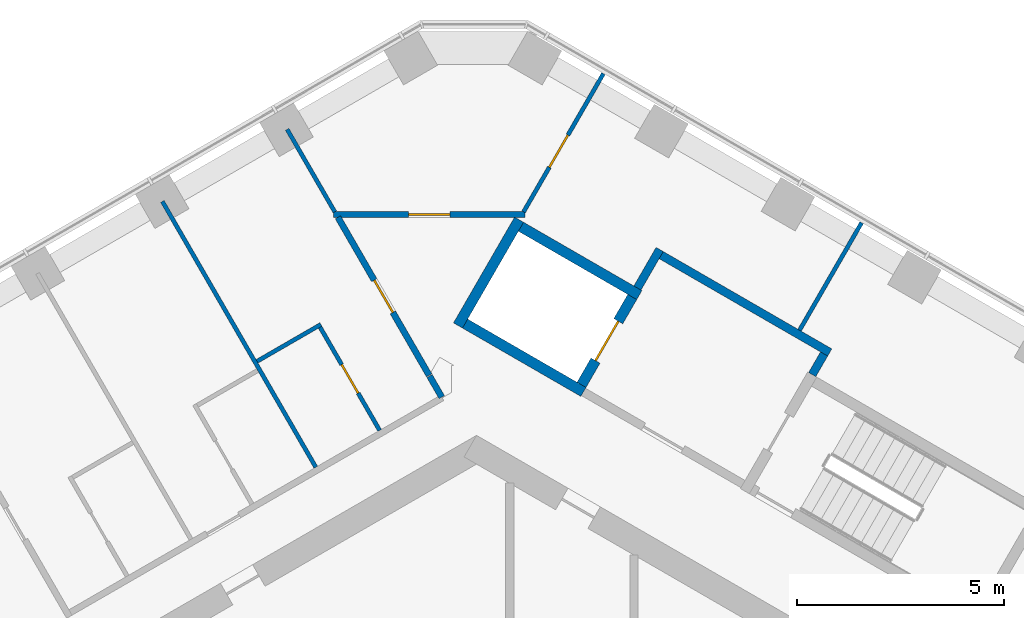
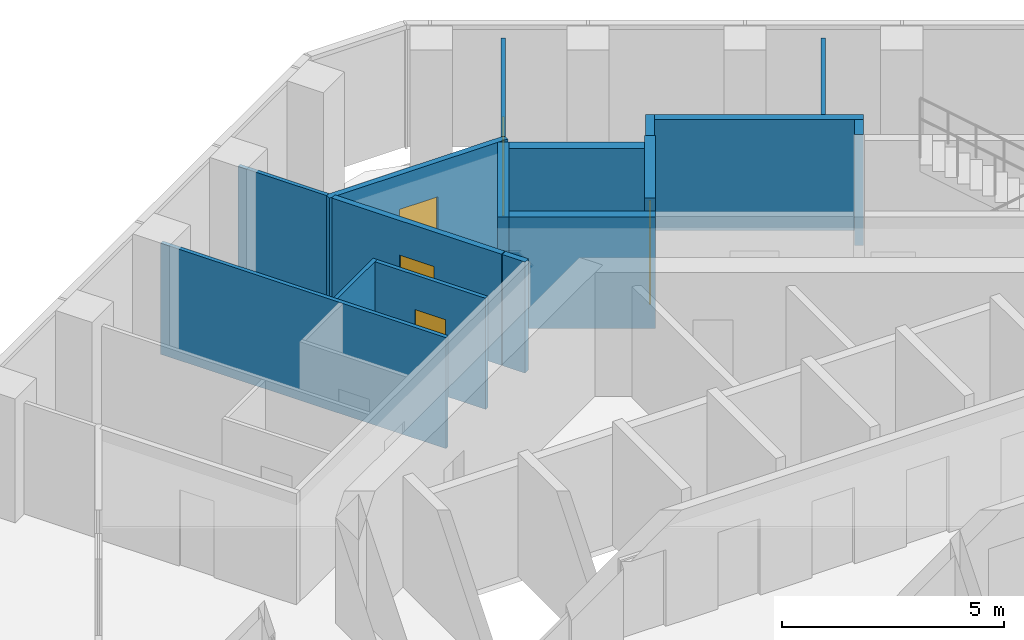
# One storey, part 17 of 19: 16 walls, 5 doors, 5 openings.
"""IFC4 building model written with IfcOpenShell, lengths in metres."""

from ifc_helpers import new_model, si_unit, direction, frame, frame_2d, origin, place, context, subcontext, project, spatial, rectangle, extrude, material, layer, layer_set, type_object, element, fill, save


model = new_model("IFC4")

# Units and contexts
model_context = context("Model", 3, precision=1e-05, world=origin(), true_north=direction((0.0, 1.0)))
body_context = subcontext(model_context, "Body", "Model", "MODEL_VIEW")
ifc_project = project(units=[si_unit("LENGTHUNIT", "METRE"), si_unit("AREAUNIT", "SQUARE_METRE"), si_unit("VOLUMEUNIT", "CUBIC_METRE"), si_unit("PLANEANGLEUNIT", "RADIAN"), si_unit("MASSUNIT", "GRAM", prefix="KILO")], contexts=[model_context])

# Site, building, storey
site_placement = place(None, origin())
site = spatial("IfcSite", under=ifc_project, at=site_placement, CompositionType="ELEMENT")
building_placement = place(site_placement, origin())
building = spatial("IfcBuilding", under=site, at=building_placement, Name="Ayvan Gate Tower", CompositionType="ELEMENT")
storey_placement = place(building_placement, frame((0.0, 0.0, 156.10009765625)))
storey = spatial("IfcBuildingStorey", under=building, at=storey_placement, Name="L41", CompositionType="ELEMENT", Elevation=156.10009765625)

# Wall, opening, door
ifc_material_1 = material(Name="Plasterboard on steel stud", Category="steel")
ifc_layer_1 = layer(ifc_material_1, 0.14990234375)
ifc_layer_set_1 = layer_set([ifc_layer_1], Name="Plasterboard on steel stud")
wall_type_1 = type_object("IfcWallType", Name="WT-CORR-150", PredefinedType="PARTITIONING", material=ifc_layer_set_1)
wall_1_placement = place(storey_placement, frame((-3.459716796875, 16.301513671875, 0.0), z_axis=(0.0, 0.0, 1.0), x_axis=(1.0, 0.0, 0.0)))
wall_1 = element("IfcWall", 1, at=wall_1_placement, inside=storey, type_object=wall_type_1, Name="IW-L41-040", PredefinedType="PARTITIONING", context=body_context, shape_type="SweptSolid", body=[
    extrude(rectangle(XDim=4.632568359375, YDim=0.14990234375, at=frame_2d((2.31640625, 0.0))), origin(), (0.0, 0.0, 1.0), 3.0498046875),
])
opening_1_placement = place(wall_1_placement, frame((1.81640625, 0.0, 0.0)))
opening_1 = element("IfcOpeningElement", 2, at=opening_1_placement, cuts=wall_1, Name="Opening L41-D25", PredefinedType="OPENING", context=body_context, shape_type="SweptSolid", body=[
    extrude(rectangle(XDim=1.0, YDim=2.10009765625, at=frame_2d((0.5, 1.050048828125))), frame((0.0, 0.0849609375, 0.0), z_axis=(0.0, -1.0, 0.0), x_axis=(1.0, 0.0, 0.0)), (0.0, 0.0, 1.0), 0.169921875),
])
ifc_material_2 = material(Name="Timber door leaf", Category="wood")
door_type_1 = type_object("IfcDoorType", Name="DT-1000", OperationType="NOTDEFINED", PredefinedType="DOOR", material=ifc_material_2)
door_1_placement = place(opening_1_placement, origin())
door_1 = element("IfcDoor", 3, at=door_1_placement, inside=storey, type_object=door_type_1, Name="ID-L41-025", OperationType="SINGLE_SWING_RIGHT", OverallHeight=2.10009765625, OverallWidth=1.0, PredefinedType="DOOR", context=body_context, shape_type="SweptSolid", body=[
    extrude(rectangle(XDim=1.0, YDim=2.10009765625, at=frame_2d((0.5, 1.050048828125))), frame((0.0, 0.02490234375, 0.0), z_axis=(0.0, -1.0, 0.0), x_axis=(1.0, 0.0, 0.0)), (0.0, 0.0, 1.0), 0.050048828125),
])
fill(opening_1, door_1)

wall_2_placement = place(storey_placement, frame((-1.143310546875, 12.419677734375, 0.0), z_axis=(0.0, 0.0, 1.0), x_axis=(-0.500005339912, 0.866022320763, 0.0)))
wall_2 = element("IfcWall", 4, at=wall_2_placement, inside=storey, type_object=wall_type_1, Name="IW-L41-048", PredefinedType="PARTITIONING", context=body_context, shape_type="SweptSolid", body=[
    extrude(rectangle(XDim=4.40771484375, YDim=0.14990234375, at=frame_2d((2.203857421875, 0.0))), origin(), (0.0, 0.0, 1.0), 3.0498046875),
])
opening_2_placement = place(wall_2_placement, frame((1.75390625, 0.0, 0.0)))
opening_2 = element("IfcOpeningElement", 5, at=opening_2_placement, cuts=wall_2, Name="Opening L41-D39", PredefinedType="OPENING", context=body_context, shape_type="SweptSolid", body=[
    extrude(rectangle(XDim=0.89990234375, YDim=2.10009765625, at=frame_2d((0.449951171875, 1.050048828125))), frame((0.0, 0.0849609375, 0.0), z_axis=(0.0, -1.0, 0.0), x_axis=(1.0, 0.0, 0.0)), (0.0, 0.0, 1.0), 0.169921875),
])
door_type_2 = type_object("IfcDoorType", Name="DT-900", OperationType="NOTDEFINED", PredefinedType="DOOR", material=ifc_material_2)
door_2_placement = place(opening_2_placement, origin())
door_2 = element("IfcDoor", 6, at=door_2_placement, inside=storey, type_object=door_type_2, Name="ID-L41-039", OperationType="SINGLE_SWING_RIGHT", OverallHeight=2.10009765625, OverallWidth=0.89990234375, PredefinedType="DOOR", context=body_context, shape_type="SweptSolid", body=[
    extrude(rectangle(XDim=0.89990234375, YDim=2.10009765625, at=frame_2d((0.449951171875, 1.050048828125))), frame((0.0, 0.02490234375, 0.0), z_axis=(0.0, -1.0, 0.0), x_axis=(1.0, 0.0, 0.0)), (0.0, 0.0, 1.0), 0.050048828125),
])
fill(opening_2, door_2)

# Walls
wall_3_placement = place(storey_placement, frame((-1.13330078125, 12.40234375, 0.0), z_axis=(0.0, 0.0, 1.0), x_axis=(0.499938297808, -0.866061024631, 0.0)))
element("IfcWall", 7, at=wall_3_placement, inside=storey, type_object=wall_type_1, Name="IW-L41-049", PredefinedType="PARTITIONING", context=body_context, shape_type="SweptSolid", body=[
    extrude(rectangle(XDim=0.58740234375, YDim=0.14990234375, at=frame_2d((0.293701171875, 0.0))), origin(), (0.0, 0.0, 1.0), 3.0498046875),
])
ifc_layer_2 = layer(ifc_material_1, 0.10009765625)
ifc_layer_set_2 = layer_set([ifc_layer_2], Name="Plasterboard on steel stud")
wall_type_2 = type_object("IfcWallType", Name="WT-PART-100", PredefinedType="PARTITIONING", material=ifc_layer_set_2)
wall_4_placement = place(storey_placement, frame((-7.58642578125, 16.619873046875, 0.0), z_axis=(0.0, 0.0, 1.0), x_axis=(0.500011399757, -0.866018822032, 0.0)))
element("IfcWall", 8, at=wall_4_placement, inside=storey, type_object=wall_type_2, Name="IW-L41-035", PredefinedType="PARTITIONING", context=body_context, shape_type="SweptSolid", body=[
    extrude(rectangle(XDim=7.411376953125, YDim=0.10009765625, at=frame_2d((3.70556640625, 0.0))), origin(), (0.0, 0.0, 1.0), 3.0498046875),
])
wall_5_placement = place(storey_placement, frame((-3.758544921875, 13.6494140625, 0.0), z_axis=(0.0, 0.0, 1.0), x_axis=(-0.866014251095, -0.500019316528, 0.0)))
element("IfcWall", 9, at=wall_5_placement, inside=storey, type_object=wall_type_2, Name="IW-L41-038", PredefinedType="PARTITIONING", context=body_context, shape_type="SweptSolid", body=[
    extrude(rectangle(XDim=1.77978515625, YDim=0.10009765625, at=frame_2d((0.889892578125, 0.0))), origin(), (0.0, 0.0, 1.0), 3.0498046875),
])
wall_6_placement = place(storey_placement, frame((-3.422119140625, 16.36669921875, 0.0), z_axis=(0.0, 0.0, 1.0), x_axis=(-0.500040764516, 0.866001867101, 0.0)))
element("IfcWall", 10, at=wall_6_placement, inside=storey, type_object=wall_type_2, Name="IW-L41-039", PredefinedType="PARTITIONING", context=body_context, shape_type="SweptSolid", body=[
    extrude(rectangle(XDim=2.301513671875, YDim=0.10009765625, at=frame_2d((1.15087890625, 0.0))), origin(), (0.0, 0.0, 1.0), 3.0498046875),
])

# Wall, opening, door
wall_7_placement = place(storey_placement, frame((-2.33935546875, 11.09130859375, 0.0), z_axis=(0.0, 0.0, 1.0), x_axis=(-0.500011588718, 0.866018712932, 0.0)))
wall_7 = element("IfcWall", 11, at=wall_7_placement, inside=storey, type_object=wall_type_2, Name="IW-L41-047", PredefinedType="PARTITIONING", context=body_context, shape_type="SweptSolid", body=[
    extrude(rectangle(XDim=2.875, YDim=0.10009765625, at=frame_2d((1.4375, 0.0))), origin(), (0.0, 0.0, 1.0), 3.0498046875),
])
opening_3_placement = place(wall_7_placement, frame((1.03759765625, 0.0, 0.0)))
opening_3 = element("IfcOpeningElement", 12, at=opening_3_placement, cuts=wall_7, Name="Opening L41-D40", PredefinedType="OPENING", context=body_context, shape_type="SweptSolid", body=[
    extrude(rectangle(XDim=0.800048828125, YDim=2.10009765625, at=frame_2d((0.39990234375, 1.050048828125))), frame((0.0, 0.06005859375, 0.0), z_axis=(0.0, -1.0, 0.0), x_axis=(1.0, 0.0, 0.0)), (0.0, 0.0, 1.0), 0.1201171875),
])
door_type_3 = type_object("IfcDoorType", Name="DT-800", OperationType="NOTDEFINED", PredefinedType="DOOR", material=ifc_material_2)
door_3_placement = place(opening_3_placement, origin())
door_3 = element("IfcDoor", 13, at=door_3_placement, inside=storey, type_object=door_type_3, Name="ID-L41-040", OperationType="SINGLE_SWING_LEFT", OverallHeight=2.10009765625, OverallWidth=0.800048828125, PredefinedType="DOOR", context=body_context, shape_type="SweptSolid", body=[
    extrude(rectangle(XDim=0.800048828125, YDim=2.10009765625, at=frame_2d((0.39990234375, 1.050048828125))), frame((0.0, 0.02490234375, 0.0), z_axis=(0.0, -1.0, 0.0), x_axis=(1.0, 0.0, 0.0)), (0.0, 0.0, 1.0), 0.050048828125),
])
fill(opening_3, door_3)

wall_8_placement = place(storey_placement, frame((3.063720703125, 19.70654296875, 0.0), z_axis=(0.0, 0.0, 1.0), x_axis=(-0.499992798144, -0.866029561738, 0.0)))
wall_8 = element("IfcWall", 14, at=wall_8_placement, inside=storey, type_object=wall_type_2, Name="IW-L41-063", PredefinedType="PARTITIONING", context=body_context, shape_type="SweptSolid", body=[
    extrude(rectangle(XDim=3.8564453125, YDim=0.10009765625, at=frame_2d((1.92822265625, 0.0))), origin(), (0.0, 0.0, 1.0), 3.0498046875),
])
opening_4_placement = place(wall_8_placement, frame((1.7138671875, 0.0, 0.0)))
opening_4 = element("IfcOpeningElement", 15, at=opening_4_placement, cuts=wall_8, Name="Opening L41-D26", PredefinedType="OPENING", context=body_context, shape_type="SweptSolid", body=[
    extrude(rectangle(XDim=0.89990234375, YDim=2.10009765625, at=frame_2d((0.449951171875, 1.050048828125))), frame((0.0, 0.06005859375, 0.0), z_axis=(0.0, -1.0, 0.0), x_axis=(1.0, 0.0, 0.0)), (0.0, 0.0, 1.0), 0.1201171875),
])
door_4_placement = place(opening_4_placement, origin())
door_4 = element("IfcDoor", 16, at=door_4_placement, inside=storey, type_object=door_type_2, Name="ID-L41-026", OperationType="SINGLE_SWING_LEFT", OverallHeight=2.10009765625, OverallWidth=0.89990234375, PredefinedType="DOOR", context=body_context, shape_type="SweptSolid", body=[
    extrude(rectangle(XDim=0.89990234375, YDim=2.10009765625, at=frame_2d((0.449951171875, 1.050048828125))), frame((0.0, 0.02490234375, 0.0), z_axis=(0.0, -1.0, 0.0), x_axis=(1.0, 0.0, 0.0)), (0.0, 0.0, 1.0), 0.050048828125),
])
fill(opening_4, door_4)

# Walls
wall_9_placement = place(storey_placement, frame((7.800048828125, 13.510009765625, 0.0), z_axis=(0.0, 0.0, 1.0), x_axis=(0.499992664208, 0.866029639064, 0.0)))
element("IfcWall", 17, at=wall_9_placement, inside=storey, type_object=wall_type_2, Name="IW-L41-087", PredefinedType="PARTITIONING", context=body_context, shape_type="SweptSolid", body=[
    extrude(rectangle(XDim=2.998046875, YDim=0.10009765625, at=frame_2d((1.4990234375, 0.0))), origin(), (0.0, 0.0, 1.0), 3.0498046875),
])
ifc_layer_3 = layer(ifc_material_1, 0.199951171875)
ifc_layer_set_3 = layer_set([ifc_layer_3], Name="Plasterboard on steel stud")
wall_type_3 = type_object("IfcWallType", Name="WT-RATED-200", PredefinedType="PARTITIONING", material=ifc_layer_set_3)
wall_10_placement = place(storey_placement, frame((3.885009765625, 14.52880859375, 0.0), z_axis=(0.0, 0.0, 1.0), x_axis=(0.499997628298, 0.866026773083, 0.0)))
element("IfcWall", 18, at=wall_10_placement, inside=storey, type_object=wall_type_3, Name="IW-L41-071", PredefinedType="PARTITIONING", context=body_context, shape_type="SweptSolid", body=[
    extrude(rectangle(XDim=1.0751953125, YDim=0.199951171875, at=frame_2d((0.53759765625, 0.0))), origin(), (0.0, 0.0, 1.0), 3.0498046875),
])
wall_11_placement = place(storey_placement, frame((4.458984375, 15.323486328125, 0.0), z_axis=(0.0, 0.0, 1.0), x_axis=(0.866016039709, -0.500016218704, 0.0)))
element("IfcWall", 19, at=wall_11_placement, inside=storey, type_object=wall_type_3, Name="IW-L41-072", PredefinedType="PARTITIONING", context=body_context, shape_type="SweptSolid", body=[
    extrude(rectangle(XDim=4.699951171875, YDim=0.199951171875, at=frame_2d((2.35009765625, 0.0))), origin(), (0.0, 0.0, 1.0), 3.0498046875),
])
wall_12_placement = place(storey_placement, frame((8.392822265625, 12.936767578125, 0.0), z_axis=(0.0, 0.0, 1.0), x_axis=(-0.500065409566, -0.86598763626, 0.0)))
element("IfcWall", 20, at=wall_12_placement, inside=storey, type_object=wall_type_3, Name="IW-L41-089", PredefinedType="PARTITIONING", context=body_context, shape_type="SweptSolid", body=[
    extrude(rectangle(XDim=0.5751953125, YDim=0.199951171875, at=frame_2d((0.28759765625, 0.0))), origin(), (0.0, 0.0, 1.0), 3.0498046875),
])
ifc_material_3 = material(Name="Concrete C50/60", Category="concrete")
ifc_layer_4 = layer(ifc_material_3, 0.25)
ifc_layer_set_4 = layer_set([ifc_layer_4], Name="Concrete C50/60")
wall_type_4 = type_object("IfcWallType", Name="WT-RC-250", PredefinedType="SHEAR", material=ifc_layer_set_4)
wall_13_placement = place(storey_placement, frame((-0.447998046875, 13.624267578125, 0.0), z_axis=(0.0, 0.0, 1.0), x_axis=(0.500037662692, 0.866003658127, 0.0)))
element("IfcWall", 21, at=wall_13_placement, inside=storey, type_object=wall_type_4, Name="IW-L41-053", PredefinedType="SHEAR", context=body_context, shape_type="SweptSolid", body=[
    extrude(rectangle(XDim=2.949951171875, YDim=0.25, at=frame_2d((1.47509765625, 0.0))), origin(), (0.0, 0.0, 1.0), 3.0498046875),
])
for number, where, z_axis, x_axis, name in (
    (22, (1.072998046875, 16.00830078125, 0.0), (0.0, 0.0, 1.0), (0.866040211805, -0.499974350878, 0.0), "IW-L41-056"),
    (23, (2.580810546875, 12.02001953125, 0.0), (0.0, 0.0, 1.0), (-0.866040211805, 0.499974350878, 0.0), "IW-L41-061"),
):
    element("IfcWall", number, at=place(storey_placement, frame(where, z_axis=z_axis, x_axis=x_axis)), inside=storey, type_object=wall_type_4, Name=name, PredefinedType="SHEAR", context=body_context, shape_type="SweptSolid", body=[
        extrude(rectangle(XDim=3.300048828125, YDim=0.25, at=frame_2d((1.64990234375, 0.0))), origin(), (0.0, 0.0, 1.0), 3.0498046875),
    ])

# Wall, opening, door
wall_14_placement = place(storey_placement, frame((2.534912109375, 12.19091796875, 0.0), z_axis=(0.0, 0.0, 1.0), x_axis=(0.500061746146, 0.865989751695, 0.0)))
wall_14 = element("IfcWall", 24, at=wall_14_placement, inside=storey, type_object=wall_type_4, Name="IW-L41-062", PredefinedType="SHEAR", context=body_context, shape_type="SweptSolid", body=[
    extrude(rectangle(XDim=2.449951171875, YDim=0.25, at=frame_2d((1.22509765625, 0.0))), origin(), (0.0, 0.0, 1.0), 3.39990234375),
])
opening_5_placement = place(wall_14_placement, frame((0.675048828125, 0.0, 0.0)))
opening_5 = element("IfcOpeningElement", 25, at=opening_5_placement, cuts=wall_14, Name="Opening L41-LD-FF1", PredefinedType="OPENING", context=body_context, shape_type="SweptSolid", body=[
    extrude(rectangle(XDim=1.10009765625, YDim=2.10009765625, at=frame_2d((0.550048828125, 1.050048828125))), frame((0.0, 0.135009765625, 0.0), z_axis=(0.0, -1.0, 0.0), x_axis=(1.0, 0.0, 0.0)), (0.0, 0.0, 1.0), 0.27001953125),
])
ifc_material_4 = material(Name="Stainless steel landing door", Category="steel")
door_type_4 = type_object("IfcDoorType", Name="DT-LANDING-1100", OperationType="SLIDING_TO_LEFT", PredefinedType="DOOR", material=ifc_material_4)
door_5_placement = place(opening_5_placement, origin())
door_5 = element("IfcDoor", 26, at=door_5_placement, inside=storey, type_object=door_type_4, Name="ID-L41-013", OperationType="SLIDING_TO_LEFT", OverallHeight=2.10009765625, OverallWidth=1.10009765625, PredefinedType="DOOR", context=body_context, shape_type="SweptSolid", body=[
    extrude(rectangle(XDim=1.10009765625, YDim=2.10009765625, at=frame_2d((0.550048828125, 1.050048828125))), frame((0.0, 0.02490234375, 0.0), z_axis=(0.0, -1.0, 0.0), x_axis=(1.0, 0.0, 0.0)), (0.0, 0.0, 1.0), 0.050048828125),
])
fill(opening_5, door_5)

save(model, "model.ifc")
